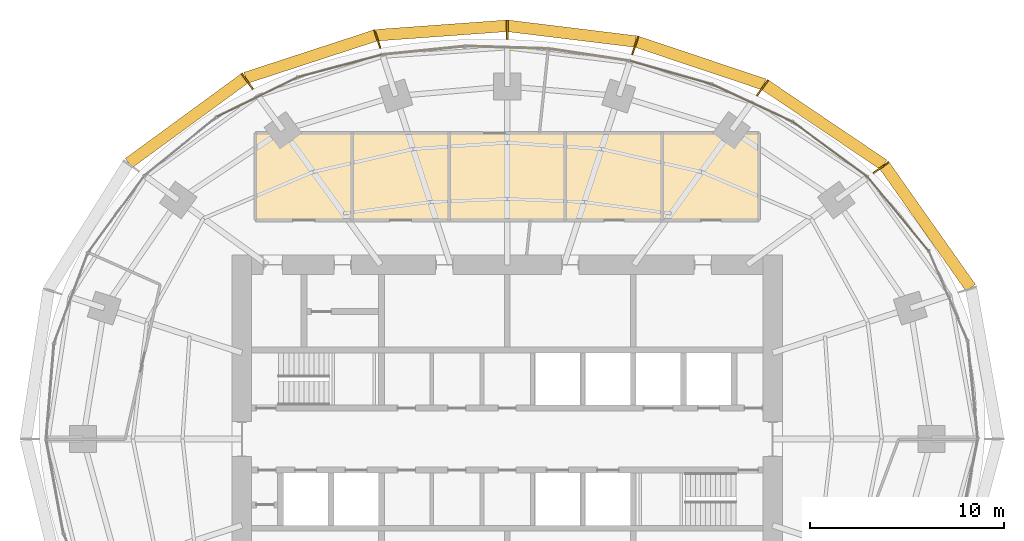
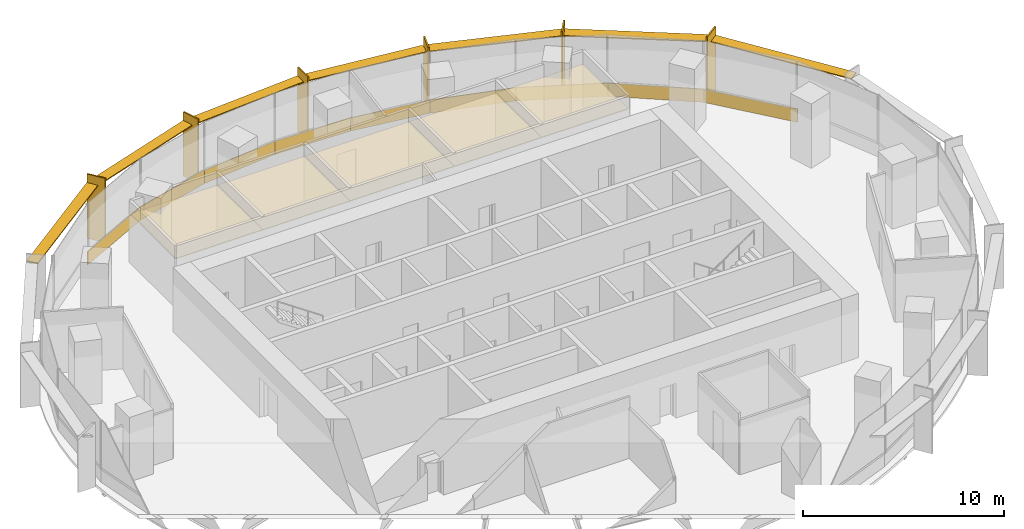
# One storey, part 14 of 14: 14 coverings, 13 shading devices.
"""IFC4 building model written with IfcOpenShell, lengths in metres."""

from ifc_helpers import new_model, si_unit, direction, frame, origin, origin_2d, place, context, subcontext, project, spatial, polyline, rectangle, outline, extrude, material, layer, layer_set, type_object, element, save


model = new_model("IFC4")

# Units and contexts
model_context = context("Model", 3, precision=1e-05, world=origin(), true_north=direction((0.0, 1.0)))
body_context = subcontext(model_context, "Body", "Model", "MODEL_VIEW")
ifc_project = project(units=[si_unit("LENGTHUNIT", "METRE"), si_unit("AREAUNIT", "SQUARE_METRE"), si_unit("VOLUMEUNIT", "CUBIC_METRE"), si_unit("PLANEANGLEUNIT", "RADIAN"), si_unit("MASSUNIT", "GRAM", prefix="KILO")], contexts=[model_context])

# Site, building, storey
site_placement = place(None, origin())
site = spatial("IfcSite", under=ifc_project, at=site_placement, CompositionType="ELEMENT")
building_placement = place(site_placement, origin())
building = spatial("IfcBuilding", under=site, at=building_placement, Name="Marramba Exchange Tower", CompositionType="ELEMENT")
storey_placement = place(building_placement, frame((0.0, 0.0, 234.5)))
storey = spatial("IfcBuildingStorey", under=building, at=storey_placement, Name="L57", CompositionType="ELEMENT", Elevation=234.5)

# Shading devices
ifc_material_1 = material(Name="Aluminium blade, timber-look bronze finish", Category="wood")
ifc_layer_1 = layer(ifc_material_1, 0.080078125)
ifc_layer_set_1 = layer_set([ifc_layer_1], Name="Floor-edge blade 1000x80")
shading_device_type_1 = type_object("IfcShadingDeviceType", Name="Floor-edge blade 1000x80", PredefinedType="USERDEFINED", material=ifc_layer_set_1)
for number, where, z_axis, x_axis, name in (
    (1, (19.298828125, 14.021484375, -0.159912109375), (0.0, 0.0, 1.0), (0.809016994375, 0.587785252292, 0.0), "Floor-edge blade FB1 L57 TC03"),
    (2, (13.176513671875, 18.135986328125, -0.159912109375), (0.0, 0.0, 1.0), (0.587785252292, 0.809016994375, 0.0), "Floor-edge blade FB1 L57 TC04"),
    (3, (6.605712890625, 20.330078125, -0.159912109375), (0.0, 0.0, 1.0), (0.309016994375, 0.951056516295, 0.0), "Floor-edge blade FB1 L57 TC05"),
    (4, (0.0, 21.13623046875, -0.159912109375), (0.0, 0.0, 1.0), (0.0, 1.0, 0.0), "Floor-edge blade FB1 L57 TC06"),
    (5, (-6.7119140625, 20.657470703125, -0.159912109375), (0.0, 0.0, 1.0), (-0.309016994375, 0.951056516295, 0.0), "Floor-edge blade FB1 L57 TC07"),
    (6, (-13.422607421875, 18.474609375, -0.159912109375), (0.0, 0.0, 1.0), (-0.587785252292, 0.809016994375, 0.0), "Floor-edge blade FB1 L57 TC08"),
):
    element("IfcShadingDevice", number, at=place(storey_placement, frame(where, z_axis=z_axis, x_axis=x_axis)), inside=storey, type_object=shading_device_type_1, Name=name, ObjectType="FIN", PredefinedType="USERDEFINED", context=body_context, shape_type="SweptSolid", body=[
        extrude(rectangle(XDim=1.0, YDim=0.080078125, at=origin_2d()), origin(), (0.0, 0.0, 1.0), 3.89990234375),
    ])
ifc_material_2 = material(Name="Aluminium sunshade, bronze anodised", Category="aluminium")
ifc_layer_2 = layer(ifc_material_2, 0.06005859375)
ifc_layer_set_2 = layer_set([ifc_layer_2], Name="SUNSHADE blade 600x60")
shading_device_type_2 = type_object("IfcShadingDeviceType", Name="SUNSHADE blade 600x60", PredefinedType="USERDEFINED", material=ifc_layer_set_2)
shading_device_1_placement = place(storey_placement, frame((21.703857421875, 10.9599609375, 3.159912109375), z_axis=(0.0, 0.0, 1.0), x_axis=(-0.576555118613, 0.81705825692, 0.0)))
element("IfcShadingDevice", 7, at=shading_device_1_placement, inside=storey, type_object=shading_device_type_2, Name="Sunshade SS1 L57 bay 02", ObjectType="SUNSHADE", PredefinedType="USERDEFINED", context=body_context, shape_type="SweptSolid", body=[
    extrude(rectangle(XDim=7.70166015625, YDim=0.60009765625, at=origin_2d()), origin(), (0.0, 0.0, 1.0), 0.06005859375),
])
shading_device_2_placement = place(storey_placement, frame((16.37744140625, 16.218505859375, 3.159912109375), z_axis=(0.0, 0.0, 1.0), x_axis=(-0.829071447151, 0.559142679035, 0.0)))
element("IfcShadingDevice", 8, at=shading_device_2_placement, inside=storey, type_object=shading_device_type_2, Name="Sunshade SS1 L57 bay 03", ObjectType="SUNSHADE", PredefinedType="USERDEFINED", context=body_context, shape_type="SweptSolid", body=[
    extrude(rectangle(XDim=7.35791015625, YDim=0.60009765625, at=origin_2d()), origin(), (0.0, 0.0, 1.0), 0.06005859375),
])
shading_device_3_placement = place(storey_placement, frame((9.980712890625, 19.4091796875, 3.159912109375), z_axis=(0.0, 0.0, 1.0), x_axis=(-0.948096437223, 0.317982933073, 0.0)))
element("IfcShadingDevice", 9, at=shading_device_3_placement, inside=storey, type_object=shading_device_type_2, Name="Sunshade SS1 L57 bay 04", ObjectType="SUNSHADE", PredefinedType="USERDEFINED", context=body_context, shape_type="SweptSolid", body=[
    extrude(rectangle(XDim=6.909423828125, YDim=0.60009765625, at=origin_2d()), origin(), (0.0, 0.0, 1.0), 0.06005859375),
])
shading_device_4_placement = place(storey_placement, frame((3.333740234375, 20.92822265625, 3.159912109375), z_axis=(0.0, 0.0, 1.0), x_axis=(-0.992595256045, 0.121468751853, 0.0)))
element("IfcShadingDevice", 10, at=shading_device_4_placement, inside=storey, type_object=shading_device_type_2, Name="Sunshade SS1 L57 bay 05", ObjectType="SUNSHADE", PredefinedType="USERDEFINED", context=body_context, shape_type="SweptSolid", body=[
    extrude(rectangle(XDim=6.63720703125, YDim=0.60009765625, at=origin_2d()), origin(), (0.0, 0.0, 1.0), 0.06005859375),
])
shading_device_5_placement = place(storey_placement, frame((-3.386962890625, 21.092041015625, 3.159912109375), z_axis=(0.0, 0.0, 1.0), x_axis=(-0.997407641713, -0.071958295234, 0.0)))
element("IfcShadingDevice", 11, at=shading_device_5_placement, inside=storey, type_object=shading_device_type_2, Name="Sunshade SS1 L57 bay 06", ObjectType="SUNSHADE", PredefinedType="USERDEFINED", context=body_context, shape_type="SweptSolid", body=[
    extrude(rectangle(XDim=6.71142578125, YDim=0.60009765625, at=origin_2d()), origin(), (0.0, 0.0, 1.0), 0.06005859375),
])
shading_device_6_placement = place(storey_placement, frame((-10.156982421875, 19.741943359375, 3.159912109375), z_axis=(0.0, 0.0, 1.0), x_axis=(-0.950537602937, -0.310609506297, 0.0)))
element("IfcShadingDevice", 12, at=shading_device_6_placement, inside=storey, type_object=shading_device_type_2, Name="Sunshade SS1 L57 bay 07", ObjectType="SUNSHADE", PredefinedType="USERDEFINED", context=body_context, shape_type="SweptSolid", body=[
    extrude(rectangle(XDim=7.03857421875, YDim=0.60009765625, at=origin_2d()), origin(), (0.0, 0.0, 1.0), 0.06005859375),
])
shading_device_7_placement = place(storey_placement, frame((-16.55810546875, 16.4296875, 3.159912109375), z_axis=(0.0, 0.0, 1.0), x_axis=(-0.80719390073, -0.59028637679, 0.0)))
element("IfcShadingDevice", 13, at=shading_device_7_placement, inside=storey, type_object=shading_device_type_2, Name="Sunshade SS1 L57 bay 08", ObjectType="SUNSHADE", PredefinedType="USERDEFINED", context=body_context, shape_type="SweptSolid", body=[
    extrude(rectangle(XDim=7.3974609375, YDim=0.60009765625, at=origin_2d()), origin(), (0.0, 0.0, 1.0), 0.06005859375),
])

# Coverings
ifc_material_3 = material(Name="Aluminium spandrel panel, bronze anodised, insulated", Category="aluminium")
ifc_layer_3 = layer(ifc_material_3, 0.050048828125)
ifc_layer_set_3 = layer_set([ifc_layer_3], Name="Spandrel panel 800")
covering_type_1 = type_object("IfcCoveringType", Name="Spandrel panel 800", PredefinedType="CLADDING", material=ifc_layer_set_3)
covering_1_placement = place(storey_placement, frame((20.193603515625, 11.608642578125, 0.0), z_axis=(0.0, 0.0, 1.0), x_axis=(-0.637350224586, 0.770574260678, 0.0)))
element("IfcCovering", 14, at=covering_1_placement, inside=storey, type_object=covering_type_1, Name="Spandrel panel SP1 L57 F03", PredefinedType="CLADDING", context=body_context, shape_type="SweptSolid", body=[
    extrude(rectangle(XDim=4.9658203125, YDim=0.050048828125, at=origin_2d()), origin(), (0.0, 0.0, 1.0), 0.800048828125),
])
covering_2_placement = place(storey_placement, frame((16.677001953125, 14.94775390625, 0.0), z_axis=(0.0, 0.0, 1.0), x_axis=(-0.804877256733, 0.593441321104, 0.0)))
element("IfcCovering", 15, at=covering_2_placement, inside=storey, type_object=covering_type_1, Name="Spandrel panel SP1 L57 F04", PredefinedType="CLADDING", context=body_context, shape_type="SweptSolid", body=[
    extrude(rectangle(XDim=4.805908203125, YDim=0.050048828125, at=origin_2d()), origin(), (0.0, 0.0, 1.0), 0.800048828125),
])
covering_3_placement = place(storey_placement, frame((12.65869140625, 17.344482421875, 0.0), z_axis=(0.0, 0.0, 1.0), x_axis=(-0.906533903661, 0.422133014005, 0.0)))
element("IfcCovering", 16, at=covering_3_placement, inside=storey, type_object=covering_type_1, Name="Spandrel panel SP1 L57 F05", PredefinedType="CLADDING", context=body_context, shape_type="SweptSolid", body=[
    extrude(rectangle(XDim=4.5986328125, YDim=0.050048828125, at=origin_2d()), origin(), (0.0, 0.0, 1.0), 0.800048828125),
])
covering_4_placement = place(storey_placement, frame((8.45849609375, 18.91845703125, 0.0), z_axis=(0.0, 0.0, 1.0), x_axis=(-0.961658952783, 0.274248169607, 0.0)))
element("IfcCovering", 17, at=covering_4_placement, inside=storey, type_object=covering_type_1, Name="Spandrel panel SP1 L57 F06", PredefinedType="CLADDING", context=body_context, shape_type="SweptSolid", body=[
    extrude(rectangle(XDim=4.39990234375, YDim=0.050048828125, at=origin_2d()), origin(), (0.0, 0.0, 1.0), 0.800048828125),
])
covering_5_placement = place(storey_placement, frame((4.230712890625, 19.839599609375, 0.0), z_axis=(0.0, 0.0, 1.0), x_axis=(-0.988868065308, 0.148794991224, 0.0)))
element("IfcCovering", 18, at=covering_5_placement, inside=storey, type_object=covering_type_1, Name="Spandrel panel SP1 L57 F07", PredefinedType="CLADDING", context=body_context, shape_type="SweptSolid", body=[
    extrude(rectangle(XDim=4.27197265625, YDim=0.050048828125, at=origin_2d()), origin(), (0.0, 0.0, 1.0), 0.800048828125),
])
covering_6_placement = place(storey_placement, frame((-0.0068359375, 20.221923828125, 0.0), z_axis=(0.0, 0.0, 1.0), x_axis=(-0.999537999985, 0.030393857689, 0.0)))
element("IfcCovering", 19, at=covering_6_placement, inside=storey, type_object=covering_type_1, Name="Spandrel panel SP1 L57 F08", PredefinedType="CLADDING", context=body_context, shape_type="SweptSolid", body=[
    extrude(rectangle(XDim=4.252685546875, YDim=0.050048828125, at=origin_2d()), origin(), (0.0, 0.0, 1.0), 0.800048828125),
])
covering_7_placement = place(storey_placement, frame((-4.290771484375, 20.06787109375, 0.0), z_axis=(0.0, 0.0, 1.0), x_axis=(-0.994900357732, -0.10086266993, 0.0)))
element("IfcCovering", 20, at=covering_7_placement, inside=storey, type_object=covering_type_1, Name="Spandrel panel SP1 L57 F09", PredefinedType="CLADDING", context=body_context, shape_type="SweptSolid", body=[
    extrude(rectangle(XDim=4.33935546875, YDim=0.050048828125, at=origin_2d()), origin(), (0.0, 0.0, 1.0), 0.800048828125),
])
covering_8_placement = place(storey_placement, frame((-8.620361328125, 19.27001953125, 0.0), z_axis=(0.0, 0.0, 1.0), x_axis=(-0.966240651433, -0.257641230237, 0.0)))
element("IfcCovering", 21, at=covering_8_placement, inside=storey, type_object=covering_type_1, Name="Spandrel panel SP1 L57 F10", PredefinedType="CLADDING", context=body_context, shape_type="SweptSolid", body=[
    extrude(rectangle(XDim=4.49365234375, YDim=0.050048828125, at=origin_2d()), origin(), (0.0, 0.0, 1.0), 0.800048828125),
])
covering_9_placement = place(storey_placement, frame((-12.88818359375, 17.666748046875, 0.0), z_axis=(0.0, 0.0, 1.0), x_axis=(-0.898500520314, -0.438972453572, 0.0)))
element("IfcCovering", 22, at=covering_9_placement, inside=storey, type_object=covering_type_1, Name="Spandrel panel SP1 L57 F11", PredefinedType="CLADDING", context=body_context, shape_type="SweptSolid", body=[
    extrude(rectangle(XDim=4.667236328125, YDim=0.050048828125, at=origin_2d()), origin(), (0.0, 0.0, 1.0), 0.800048828125),
])
ifc_material_4 = material(Name="Mineral fibre ceiling tiles", Category="gypsum")
ifc_layer_4 = layer(ifc_material_4, 0.02001953125)
ifc_layer_set_4 = layer_set([ifc_layer_4], Name="Suspended ceiling 20")
covering_type_2 = type_object("IfcCoveringType", Name="Suspended ceiling 20", PredefinedType="CEILING", material=ifc_layer_set_4)
covering_10_placement = place(storey_placement, frame((0.0, 0.0, 2.89990234375)))
element("IfcCovering", 23, at=covering_10_placement, inside=storey, type_object=covering_type_2, Name="Ceiling CL1 L57 Meeting Room 1", PredefinedType="CEILING", context=body_context, shape_type="SweptSolid", body=[
    extrude(outline(polyline([(-8.0, 11.300048828125), (-13.0, 11.300048828125), (-13.0, 15.800048828125), (-8.0, 15.800048828125), (-8.0, 11.300048828125)])), origin(), (0.0, 0.0, 1.0), 0.02001953125),
])
covering_11_placement = place(storey_placement, frame((0.0, 0.0, 2.89990234375)))
element("IfcCovering", 24, at=covering_11_placement, inside=storey, type_object=covering_type_2, Name="Ceiling CL1 L57 Meeting Room 2", PredefinedType="CEILING", context=body_context, shape_type="SweptSolid", body=[
    extrude(outline(polyline([(-3.0, 11.300048828125), (-8.0, 11.300048828125), (-8.0, 15.800048828125), (-3.0, 15.800048828125), (-3.0, 11.300048828125)])), origin(), (0.0, 0.0, 1.0), 0.02001953125),
])
covering_12_placement = place(storey_placement, frame((0.0, 0.0, 2.89990234375)))
element("IfcCovering", 25, at=covering_12_placement, inside=storey, type_object=covering_type_2, Name="Ceiling CL1 L57 Meeting Room 3", PredefinedType="CEILING", context=body_context, shape_type="SweptSolid", body=[
    extrude(outline(polyline([(3.0, 15.800048828125), (3.0, 11.300048828125), (-3.0, 11.300048828125), (-3.0, 15.800048828125), (3.0, 15.800048828125)])), origin(), (0.0, 0.0, 1.0), 0.02001953125),
])
covering_13_placement = place(storey_placement, frame((0.0, 0.0, 2.89990234375)))
element("IfcCovering", 26, at=covering_13_placement, inside=storey, type_object=covering_type_2, Name="Ceiling CL1 L57 Interview Room 1", PredefinedType="CEILING", context=body_context, shape_type="SweptSolid", body=[
    extrude(outline(polyline([(8.0, 11.300048828125), (3.0, 11.300048828125), (3.0, 15.800048828125), (8.0, 15.800048828125), (8.0, 11.300048828125)])), origin(), (0.0, 0.0, 1.0), 0.02001953125),
])
covering_14_placement = place(storey_placement, frame((0.0, 0.0, 2.89990234375)))
element("IfcCovering", 27, at=covering_14_placement, inside=storey, type_object=covering_type_2, Name="Ceiling CL1 L57 Interview Room 2", PredefinedType="CEILING", context=body_context, shape_type="SweptSolid", body=[
    extrude(outline(polyline([(13.0, 11.300048828125), (8.0, 11.300048828125), (8.0, 15.800048828125), (13.0, 15.800048828125), (13.0, 11.300048828125)])), origin(), (0.0, 0.0, 1.0), 0.02001953125),
])

save(model, "model.ifc")
